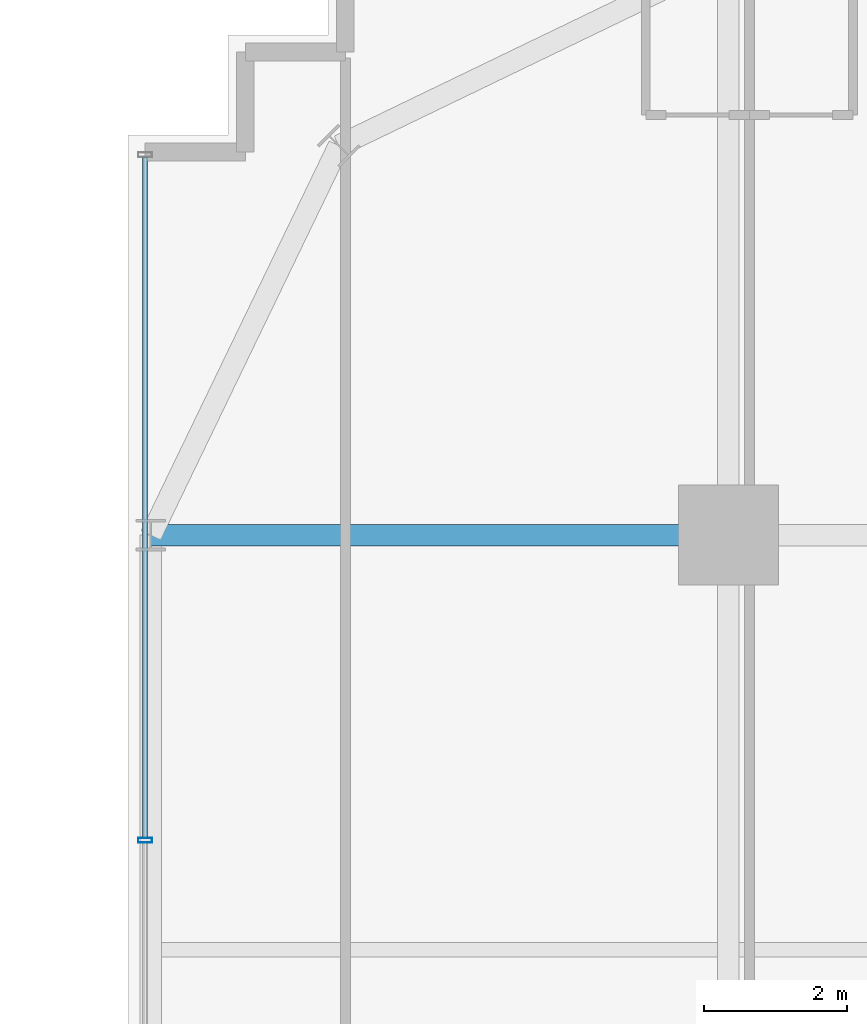
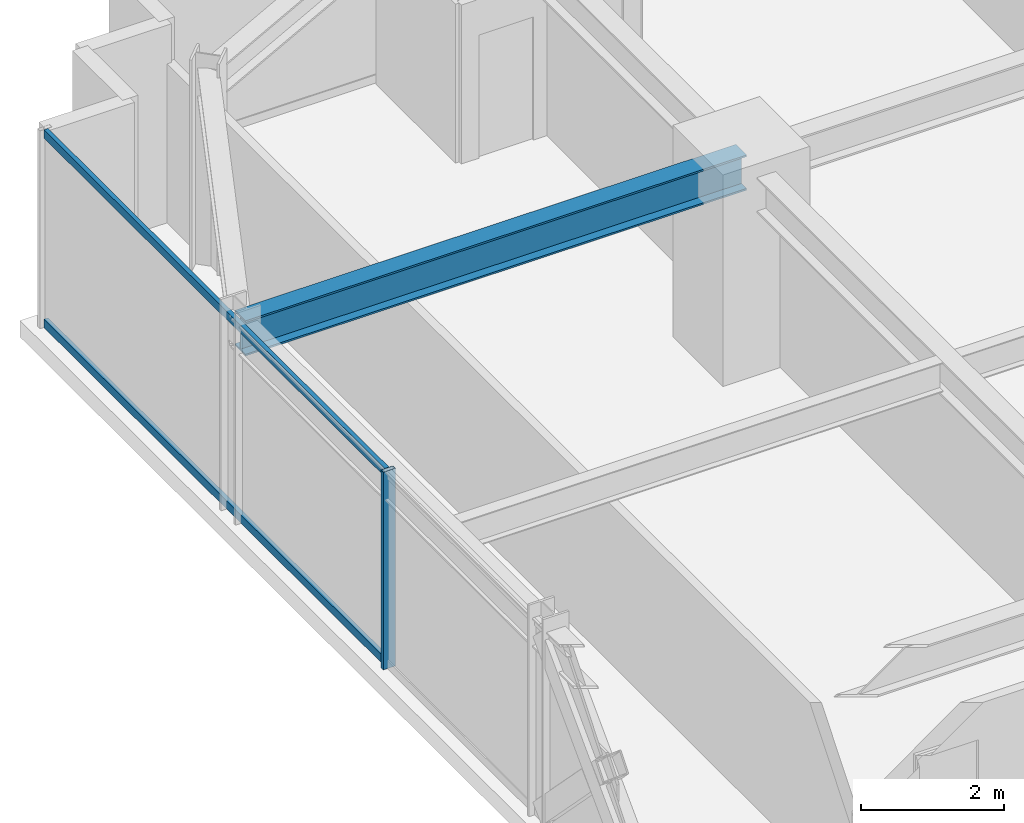
# One storey, part 21 of 37: 3 members, 1 beam, 1 element without a shape of its own.
"""IFC4 building model written with IfcOpenShell, lengths in metres."""

from ifc_helpers import new_model, si_unit, direction, frame, origin, origin_2d, place, context, subcontext, project, spatial, hollow_rectangle, i_section, extrude, source, transform, mapped, material, material_profile, profile_set, type_object, element, aggregate, save


model = new_model("IFC4")

# Units and contexts
model_context = context("Model", 3, precision=1e-05, world=origin(), true_north=direction((0.0, 1.0)))
body_context = subcontext(model_context, "Body", "Model", "MODEL_VIEW")
ifc_project = project(units=[si_unit("LENGTHUNIT", "METRE"), si_unit("AREAUNIT", "SQUARE_METRE"), si_unit("VOLUMEUNIT", "CUBIC_METRE"), si_unit("PLANEANGLEUNIT", "RADIAN"), si_unit("MASSUNIT", "GRAM", prefix="KILO")], contexts=[model_context])

# Site, building, storey
site_placement = place(None, origin())
site = spatial("IfcSite", under=ifc_project, at=site_placement, CompositionType="ELEMENT")
building_placement = place(site_placement, origin())
building = spatial("IfcBuilding", under=site, at=building_placement, Name="Nahalor Promenade Grand Hotel", CompositionType="ELEMENT")
storey_placement = place(building_placement, frame((0.0, 0.0, 65.25)))
storey = spatial("IfcBuildingStorey", under=building, at=storey_placement, Name="L15", CompositionType="ELEMENT", Elevation=65.25)

# Beam
ifc_material_1 = material(Name="Steel S355JR", Category="steel")
ifc_material_profile_1 = material_profile(ifc_material_1, i_section(OverallWidth=0.3, OverallDepth=0.6, WebThickness=0.0155, FlangeThickness=0.03, at=origin_2d()), Name="HEB 600")
ifc_profile_set_1 = profile_set([ifc_material_profile_1], Name="Steel S355JR")
beam_type = type_object("IfcBeamType", Name="Beam-Girder-HEB600", PredefinedType="BEAM", material=ifc_profile_set_1)
shared_shape_1 = source(origin(), body_context, "Body", "SweptSolid", [
    extrude(i_section(OverallWidth=0.3, OverallDepth=0.6, WebThickness=0.0155, FlangeThickness=0.03, at=origin_2d()), origin(), (0.0, 0.0, 1.0), 8.080078125),
])
beam_placement = place(storey_placement, frame((-25.080078125, 17.0, 3.070068359375), z_axis=(1.0, 0.0, 0.0), x_axis=(0.0, 1.0, 0.0)))
element("IfcBeam", 1, at=beam_placement, inside=storey, type_object=beam_type, Name="BM-L15-GX-3-0", PredefinedType="BEAM", context=body_context, shape_type="MappedRepresentation", body=[
    mapped(shared_shape_1, transform((0.0, 0.0, 0.0), scale=1.0)),
])

# Curtain wall, members
ifc_material_2 = material(Name="Anodised Bronze Aluminium EN AW-6063 T6", Category="aluminium")
curtain_wall_type = type_object("IfcCurtainWallType", Name="CW3 Elliptical-Void Collar Unitised Curtain Wall", PredefinedType="USERDEFINED", material=ifc_material_2)
curtain_wall_placement = place(storey_placement, origin())
curtain_wall = element("IfcCurtainWall", 2, at=curtain_wall_placement, inside=storey, type_object=curtain_wall_type, Name="L15 Curtain Wall CW-L15-W-4", ObjectType="UNITISED_CURTAIN_WALL", PredefinedType="USERDEFINED")
ifc_material_profile_2 = material_profile(ifc_material_2, hollow_rectangle(XDim=0.07, YDim=0.2, WallThickness=0.005, at=origin_2d()), Name="CWM 70x200x5")
ifc_profile_set_2 = profile_set([ifc_material_profile_2], Name="Anodised Bronze Aluminium EN AW-6063 T6")
member_type_1 = type_object("IfcMemberType", Name="CWM3 Void Collar Mullion 70x200", PredefinedType="MULLION", material=ifc_profile_set_2)
shared_shape_2 = source(origin(), body_context, "Body", "SweptSolid", [
    extrude(hollow_rectangle(XDim=0.07, YDim=0.2, WallThickness=0.005, at=origin_2d()), origin(), (0.0, 0.0, 1.0), 3.3701171875),
])
member_1_placement = place(storey_placement, frame((-25.159912109375, 12.72998046875, 0.0), z_axis=(0.0, 0.0, 1.0), x_axis=(0.0, 1.0, 0.0)))
member_1 = element("IfcMember", 3, at=member_1_placement, type_object=member_type_1, Name="CW-L15-W-4 Mullion 1", PredefinedType="MULLION", context=body_context, shape_type="MappedRepresentation", body=[
    mapped(shared_shape_2, transform((0.0, 0.0, 0.0), scale=1.0)),
])
ifc_material_profile_3 = material_profile(ifc_material_2, hollow_rectangle(XDim=0.07, YDim=0.14, WallThickness=0.004, at=origin_2d()), Name="CWT 70x140x4")
ifc_profile_set_3 = profile_set([ifc_material_profile_3], Name="Anodised Bronze Aluminium EN AW-6063 T6")
member_type_2 = type_object("IfcMemberType", Name="CWT3 Void Collar Transom 70x140", PredefinedType="USERDEFINED", material=ifc_profile_set_3)
shared_shape_3 = source(origin(), body_context, "Body", "SweptSolid", [
    extrude(hollow_rectangle(XDim=0.07, YDim=0.14, WallThickness=0.004, at=origin_2d()), origin(), (0.0, 0.0, 1.0), 9.525146484375),
])
member_2_placement = place(storey_placement, frame((-25.159912109375, 12.764892578125, 0.070068359375), z_axis=(0.0, 1.0, 0.0), x_axis=(-1.0, 0.0, 0.0)))
member_2 = element("IfcMember", 4, at=member_2_placement, type_object=member_type_2, Name="CW-L15-W-4 Transom 1-0", ObjectType="TRANSOM", PredefinedType="USERDEFINED", context=body_context, shape_type="MappedRepresentation", body=[
    mapped(shared_shape_3, transform((0.0, 0.0, 0.0), scale=1.0)),
])
member_3_placement = place(storey_placement, frame((-25.159912109375, 12.764892578125, 3.300048828125), z_axis=(0.0, 1.0, 0.0), x_axis=(-1.0, 0.0, 0.0)))
member_3 = element("IfcMember", 5, at=member_3_placement, type_object=member_type_2, Name="CW-L15-W-4 Transom 1-1", ObjectType="TRANSOM", PredefinedType="USERDEFINED", context=body_context, shape_type="MappedRepresentation", body=[
    mapped(shared_shape_3, transform((0.0, 0.0, 0.0), scale=1.0)),
])
aggregate(curtain_wall, [member_1, member_2, member_3])

save(model, "model.ifc")
